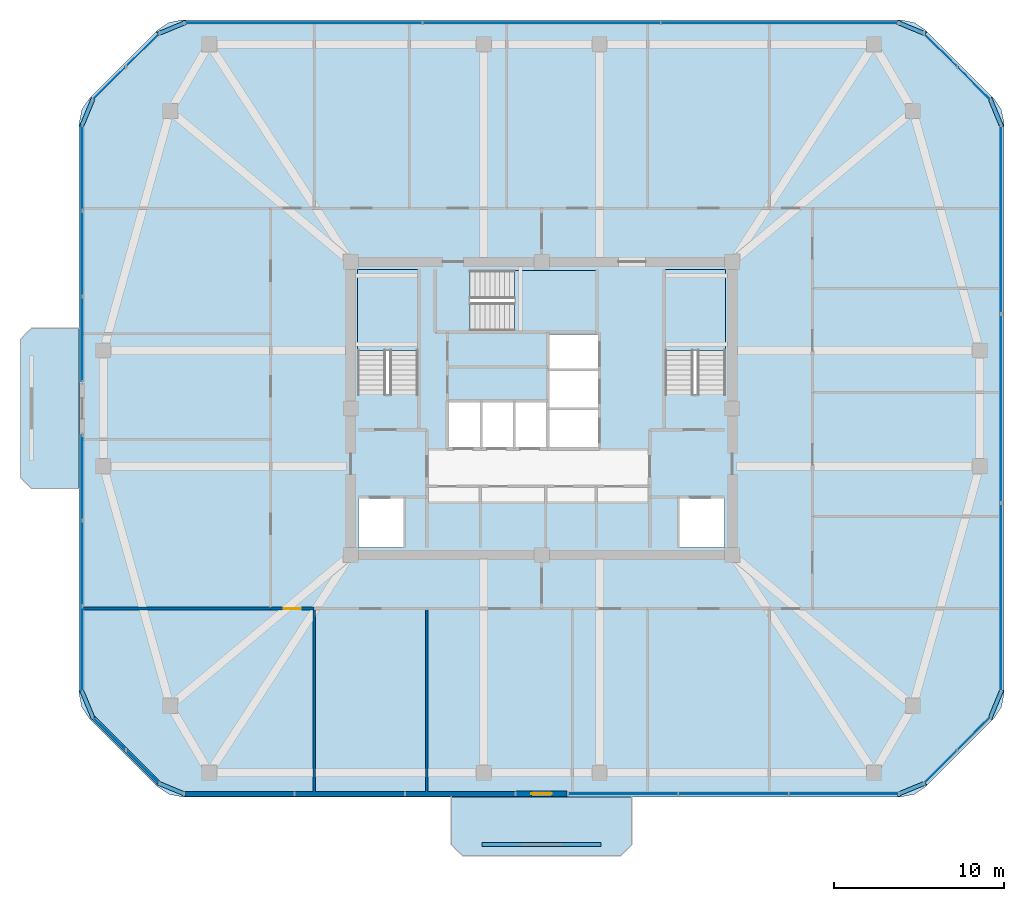
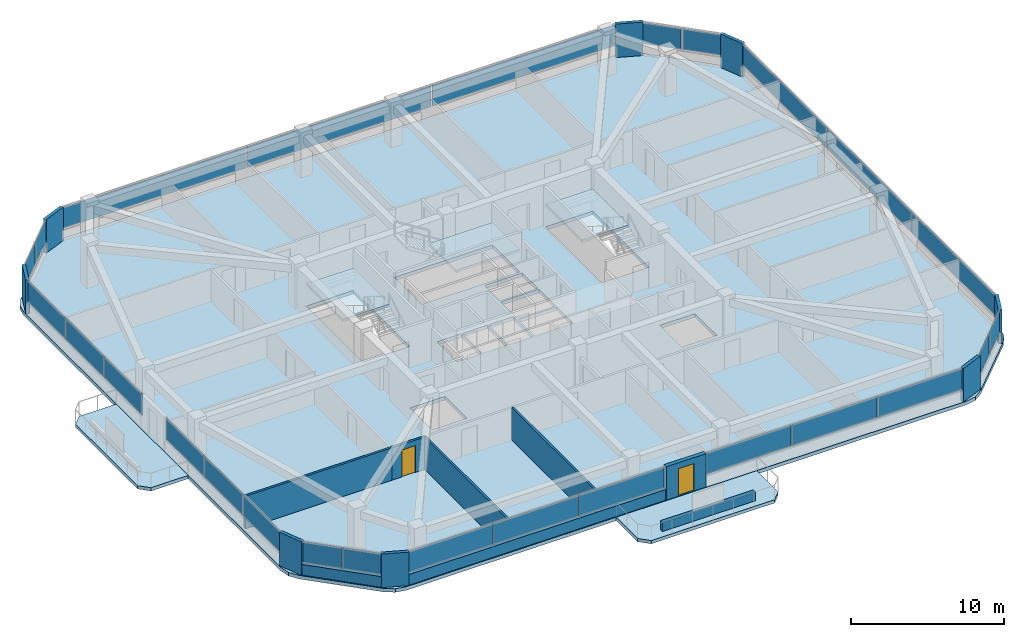
# One storey, part 7 of 13: 34 plates, 8 walls, 6 slabs, 2 doors, 2 openings, 13 elements without a shape of their own.
"""IFC4 building model written with IfcOpenShell, lengths in metres."""

from ifc_helpers import new_model, si_unit, derived_unit, direction, frame, frame_2d, origin, origin_2d, place, context, subcontext, project, spatial, polyline, rectangle, outline, extrude, material, layer, layer_set, type_object, element, fill, aggregate, save


model = new_model("IFC4")

# Units and contexts
model_context = context("Model", 3, precision=1e-05, world=origin(), true_north=direction((0.0, 1.0)))
body_context = subcontext(model_context, "Body", "Model", "MODEL_VIEW")
ifc_project = project(units=[si_unit("LENGTHUNIT", "METRE"), si_unit("AREAUNIT", "SQUARE_METRE"), si_unit("VOLUMEUNIT", "CUBIC_METRE"), si_unit("PLANEANGLEUNIT", "RADIAN"), si_unit("MASSUNIT", "GRAM", prefix="KILO"), derived_unit("THERMALTRANSMITTANCEUNIT", [(si_unit("POWERUNIT", "WATT"), 1), (si_unit("LENGTHUNIT", "METRE"), -2), (si_unit("THERMODYNAMICTEMPERATUREUNIT", "KELVIN"), -1)])], contexts=[model_context])

# Site, building, storey
site_placement = place(None, origin())
site = spatial("IfcSite", under=ifc_project, at=site_placement, CompositionType="ELEMENT")
building_placement = place(site_placement, origin())
building = spatial("IfcBuilding", under=site, at=building_placement, Name="Koralith Skygarden Medical Center", CompositionType="ELEMENT")
storey_placement = place(building_placement, frame((0.0, 0.0, 228.780029296875)))
storey = spatial("IfcBuildingStorey", under=building, at=storey_placement, Name="L59", CompositionType="ELEMENT", Elevation=228.780029296875)

# Curtain wall, plates
ifc_material_1 = material(Name="Clear Laminated Glass", Category="glass")
curtain_wall_type = type_object("IfcCurtainWallType", Name="CW-5 Zone 4 Flare Biophilic Curtain Wall", PredefinedType="NOTDEFINED", material=ifc_material_1)
curtain_wall_1_placement = place(storey_placement, origin())
curtain_wall_1 = element("IfcCurtainWall", 1, at=curtain_wall_1_placement, inside=storey, type_object=curtain_wall_type, Name="Curtain Wall CW-L59-S-L", PredefinedType="NOTDEFINED")
ifc_layer_1 = layer(ifc_material_1, 0.0380859375)
ifc_layer_set_1 = layer_set([ifc_layer_1], Name="Clear Laminated Glass")
plate_type_1 = type_object("IfcPlateType", Name="CW-5 Hurricane Laminated IGU Panel 38", PredefinedType="CURTAIN_PANEL", material=ifc_layer_set_1)
plate_1_placement = place(storey_placement, frame((19.25390625, 3.280029296875, 0.919921875), z_axis=(0.0, 0.0, 1.0), x_axis=(1.0, 0.0, 0.0)))
plate_1 = element("IfcPlate", 2, at=plate_1_placement, type_object=plate_type_1, Name="CW-L59-S-L Glazed Panel 1", PredefinedType="CURTAIN_PANEL", context=body_context, shape_type="SweptSolid", body=[
    extrude(rectangle(XDim=6.39208984375, YDim=0.0380859375, at=origin_2d()), origin(), (0.0, 0.0, 1.0), 1.679931640625),
])
plate_2_placement = place(storey_placement, frame((25.736083984375, 3.280029296875, 0.919921875), z_axis=(0.0, 0.0, 1.0), x_axis=(1.0, 0.0, 0.0)))
plate_2 = element("IfcPlate", 3, at=plate_2_placement, type_object=plate_type_1, Name="CW-L59-S-L Glazed Panel 2", PredefinedType="CURTAIN_PANEL", context=body_context, shape_type="SweptSolid", body=[
    extrude(rectangle(XDim=6.39208984375, YDim=0.0380859375, at=origin_2d()), origin(), (0.0, 0.0, 1.0), 1.679931640625),
])
plate_3_placement = place(storey_placement, frame((32.218017578125, 3.280029296875, 0.919921875), z_axis=(0.0, 0.0, 1.0), x_axis=(1.0, 0.0, 0.0)))
plate_3 = element("IfcPlate", 4, at=plate_3_placement, type_object=plate_type_1, Name="CW-L59-S-L Glazed Panel 3", PredefinedType="CURTAIN_PANEL", context=body_context, shape_type="SweptSolid", body=[
    extrude(rectangle(XDim=6.39208984375, YDim=0.0380859375, at=origin_2d()), origin(), (0.0, 0.0, 1.0), 1.679931640625),
])
aggregate(curtain_wall_1, [plate_1, plate_2, plate_3])

curtain_wall_2_placement = place(storey_placement, origin())
curtain_wall_2 = element("IfcCurtainWall", 5, at=curtain_wall_2_placement, inside=storey, type_object=curtain_wall_type, Name="Curtain Wall CW-L59-S-R", PredefinedType="NOTDEFINED")
plate_4_placement = place(storey_placement, frame((41.780029296875, 3.280029296875, 0.919921875), z_axis=(0.0, 0.0, 1.0), x_axis=(1.0, 0.0, 0.0)))
plate_4 = element("IfcPlate", 6, at=plate_4_placement, type_object=plate_type_1, Name="CW-L59-S-R Glazed Panel 1", PredefinedType="CURTAIN_PANEL", context=body_context, shape_type="SweptSolid", body=[
    extrude(rectangle(XDim=6.39306640625, YDim=0.0380859375, at=origin_2d()), origin(), (0.0, 0.0, 1.0), 1.679931640625),
])
plate_5_placement = place(storey_placement, frame((48.262939453125, 3.280029296875, 0.919921875), z_axis=(0.0, 0.0, 1.0), x_axis=(1.0, 0.0, 0.0)))
plate_5 = element("IfcPlate", 7, at=plate_5_placement, type_object=plate_type_1, Name="CW-L59-S-R Glazed Panel 2", PredefinedType="CURTAIN_PANEL", context=body_context, shape_type="SweptSolid", body=[
    extrude(rectangle(XDim=6.39306640625, YDim=0.0380859375, at=origin_2d()), origin(), (0.0, 0.0, 1.0), 1.679931640625),
])
plate_6_placement = place(storey_placement, frame((54.74609375, 3.280029296875, 0.919921875), z_axis=(0.0, 0.0, 1.0), x_axis=(1.0, 0.0, 0.0)))
plate_6 = element("IfcPlate", 8, at=plate_6_placement, type_object=plate_type_1, Name="CW-L59-S-R Glazed Panel 3", PredefinedType="CURTAIN_PANEL", context=body_context, shape_type="SweptSolid", body=[
    extrude(rectangle(XDim=6.39306640625, YDim=0.0380859375, at=origin_2d()), origin(), (0.0, 0.0, 1.0), 1.679931640625),
])
aggregate(curtain_wall_2, [plate_4, plate_5, plate_6])

curtain_wall_3_placement = place(storey_placement, origin())
curtain_wall_3 = element("IfcCurtainWall", 9, at=curtain_wall_3_placement, inside=storey, type_object=curtain_wall_type, Name="Curtain Wall CW-L59-SE", PredefinedType="NOTDEFINED")
plate_7_placement = place(storey_placement, frame((60.4189453125, 4.862060546875, 0.919921875), z_axis=(0.0, 0.0, 1.0), x_axis=(0.707106781187, 0.707106781187, 0.0)))
plate_7 = element("IfcPlate", 10, at=plate_7_placement, type_object=plate_type_1, Name="CW-L59-SE Glazed Panel 1", PredefinedType="CURTAIN_PANEL", context=body_context, shape_type="SweptSolid", body=[
    extrude(rectangle(XDim=2.68408203125, YDim=0.0380859375, at=origin_2d()), origin(), (0.0, 0.0, 1.0), 1.679931640625),
])
plate_8_placement = place(storey_placement, frame((62.3798828125, 6.822998046875, 0.919921875), z_axis=(0.0, 0.0, 1.0), x_axis=(0.707106781187, 0.707106781187, 0.0)))
plate_8 = element("IfcPlate", 11, at=plate_8_placement, type_object=plate_type_1, Name="CW-L59-SE Glazed Panel 2", PredefinedType="CURTAIN_PANEL", context=body_context, shape_type="SweptSolid", body=[
    extrude(rectangle(XDim=2.68408203125, YDim=0.0380859375, at=origin_2d()), origin(), (0.0, 0.0, 1.0), 1.679931640625),
])
aggregate(curtain_wall_3, [plate_7, plate_8])

curtain_wall_4_placement = place(storey_placement, origin())
curtain_wall_4 = element("IfcCurtainWall", 12, at=curtain_wall_4_placement, inside=storey, type_object=curtain_wall_type, Name="Curtain Wall CW-L59-E", PredefinedType="NOTDEFINED")
plate_9_placement = place(storey_placement, frame((63.9619140625, 14.802978515625, 0.919921875), z_axis=(0.0, 0.0, 1.0), x_axis=(0.0, 1.0, 0.0)))
plate_9 = element("IfcPlate", 13, at=plate_9_placement, type_object=plate_type_1, Name="CW-L59-E Glazed Panel 1", PredefinedType="CURTAIN_PANEL", context=body_context, shape_type="SweptSolid", body=[
    extrude(rectangle(XDim=11.007080078125, YDim=0.0380859375, at=origin_2d()), origin(), (0.0, 0.0, 1.0), 1.679931640625),
])
plate_10_placement = place(storey_placement, frame((63.9619140625, 25.89990234375, 0.919921875), z_axis=(0.0, 0.0, 1.0), x_axis=(0.0, 1.0, 0.0)))
plate_10 = element("IfcPlate", 14, at=plate_10_placement, type_object=plate_type_1, Name="CW-L59-E Glazed Panel 2", PredefinedType="CURTAIN_PANEL", context=body_context, shape_type="SweptSolid", body=[
    extrude(rectangle(XDim=11.007080078125, YDim=0.0380859375, at=origin_2d()), origin(), (0.0, 0.0, 1.0), 1.679931640625),
])
plate_11_placement = place(storey_placement, frame((63.9619140625, 36.9970703125, 0.919921875), z_axis=(0.0, 0.0, 1.0), x_axis=(0.0, 1.0, 0.0)))
plate_11 = element("IfcPlate", 15, at=plate_11_placement, type_object=plate_type_1, Name="CW-L59-E Glazed Panel 3", PredefinedType="CURTAIN_PANEL", context=body_context, shape_type="SweptSolid", body=[
    extrude(rectangle(XDim=11.007080078125, YDim=0.0380859375, at=origin_2d()), origin(), (0.0, 0.0, 1.0), 1.679931640625),
])
aggregate(curtain_wall_4, [plate_9, plate_10, plate_11])

curtain_wall_5_placement = place(storey_placement, origin())
curtain_wall_5 = element("IfcCurtainWall", 16, at=curtain_wall_5_placement, inside=storey, type_object=curtain_wall_type, Name="Curtain Wall CW-L59-NE", PredefinedType="NOTDEFINED")
plate_12_placement = place(storey_placement, frame((62.3798828125, 44.97705078125, 0.919921875), z_axis=(0.0, 0.0, 1.0), x_axis=(-0.707106781187, 0.707106781187, 0.0)))
plate_12 = element("IfcPlate", 17, at=plate_12_placement, type_object=plate_type_1, Name="CW-L59-NE Glazed Panel 1", PredefinedType="CURTAIN_PANEL", context=body_context, shape_type="SweptSolid", body=[
    extrude(rectangle(XDim=2.68408203125, YDim=0.0380859375, at=origin_2d()), origin(), (0.0, 0.0, 1.0), 1.679931640625),
])
plate_13_placement = place(storey_placement, frame((60.4189453125, 46.93798828125, 0.919921875), z_axis=(0.0, 0.0, 1.0), x_axis=(-0.707106781187, 0.707106781187, 0.0)))
plate_13 = element("IfcPlate", 18, at=plate_13_placement, type_object=plate_type_1, Name="CW-L59-NE Glazed Panel 2", PredefinedType="CURTAIN_PANEL", context=body_context, shape_type="SweptSolid", body=[
    extrude(rectangle(XDim=2.68408203125, YDim=0.0380859375, at=origin_2d()), origin(), (0.0, 0.0, 1.0), 1.679931640625),
])
aggregate(curtain_wall_5, [plate_12, plate_13])

curtain_wall_6_placement = place(storey_placement, origin())
curtain_wall_6 = element("IfcCurtainWall", 19, at=curtain_wall_6_placement, inside=storey, type_object=curtain_wall_type, Name="Curtain Wall CW-L59-N", PredefinedType="NOTDEFINED")
plate_14_placement = place(storey_placement, frame((50.990966796875, 48.52001953125, 0.919921875), z_axis=(0.0, 0.0, 1.0), x_axis=(-1.0, 0.0, 0.0)))
plate_14 = element("IfcPlate", 20, at=plate_14_placement, type_object=plate_type_1, Name="CW-L59-N Glazed Panel 1", PredefinedType="CURTAIN_PANEL", context=body_context, shape_type="SweptSolid", body=[
    extrude(rectangle(XDim=13.90087890625, YDim=0.0380859375, at=origin_2d()), origin(), (0.0, 0.0, 1.0), 1.679931640625),
])
plate_15_placement = place(storey_placement, frame((37.0, 48.52001953125, 0.919921875), z_axis=(0.0, 0.0, 1.0), x_axis=(-1.0, 0.0, 0.0)))
plate_15 = element("IfcPlate", 21, at=plate_15_placement, type_object=plate_type_1, Name="CW-L59-N Glazed Panel 2", PredefinedType="CURTAIN_PANEL", context=body_context, shape_type="SweptSolid", body=[
    extrude(rectangle(XDim=13.90087890625, YDim=0.0380859375, at=origin_2d()), origin(), (0.0, 0.0, 1.0), 1.679931640625),
])
plate_16_placement = place(storey_placement, frame((23.009033203125, 48.52001953125, 0.919921875), z_axis=(0.0, 0.0, 1.0), x_axis=(-1.0, 0.0, 0.0)))
plate_16 = element("IfcPlate", 22, at=plate_16_placement, type_object=plate_type_1, Name="CW-L59-N Glazed Panel 3", PredefinedType="CURTAIN_PANEL", context=body_context, shape_type="SweptSolid", body=[
    extrude(rectangle(XDim=13.90087890625, YDim=0.0380859375, at=origin_2d()), origin(), (0.0, 0.0, 1.0), 1.679931640625),
])
aggregate(curtain_wall_6, [plate_14, plate_15, plate_16])

curtain_wall_7_placement = place(storey_placement, origin())
curtain_wall_7 = element("IfcCurtainWall", 23, at=curtain_wall_7_placement, inside=storey, type_object=curtain_wall_type, Name="Curtain Wall CW-L59-NW", PredefinedType="NOTDEFINED")
plate_17_placement = place(storey_placement, frame((13.5810546875, 46.93798828125, 0.919921875), z_axis=(0.0, 0.0, 1.0), x_axis=(-0.707106781187, -0.707106781187, 0.0)))
plate_17 = element("IfcPlate", 24, at=plate_17_placement, type_object=plate_type_1, Name="CW-L59-NW Glazed Panel 1", PredefinedType="CURTAIN_PANEL", context=body_context, shape_type="SweptSolid", body=[
    extrude(rectangle(XDim=2.68408203125, YDim=0.0380859375, at=origin_2d()), origin(), (0.0, 0.0, 1.0), 1.679931640625),
])
plate_18_placement = place(storey_placement, frame((11.6201171875, 44.97705078125, 0.919921875), z_axis=(0.0, 0.0, 1.0), x_axis=(-0.707106781187, -0.707106781187, 0.0)))
plate_18 = element("IfcPlate", 25, at=plate_18_placement, type_object=plate_type_1, Name="CW-L59-NW Glazed Panel 2", PredefinedType="CURTAIN_PANEL", context=body_context, shape_type="SweptSolid", body=[
    extrude(rectangle(XDim=2.68408203125, YDim=0.0380859375, at=origin_2d()), origin(), (0.0, 0.0, 1.0), 1.679931640625),
])
aggregate(curtain_wall_7, [plate_17, plate_18])

curtain_wall_8_placement = place(storey_placement, origin())
curtain_wall_8 = element("IfcCurtainWall", 26, at=curtain_wall_8_placement, inside=storey, type_object=curtain_wall_type, Name="Curtain Wall CW-L59-W-L", PredefinedType="NOTDEFINED")
plate_19_placement = place(storey_placement, frame((10.0380859375, 40.028076171875, 0.919921875), z_axis=(0.0, 0.0, 1.0), x_axis=(0.0, -1.0, 0.0)))
plate_19 = element("IfcPlate", 27, at=plate_19_placement, type_object=plate_type_1, Name="CW-L59-W-L Glazed Panel 1", PredefinedType="CURTAIN_PANEL", context=body_context, shape_type="SweptSolid", body=[
    extrude(rectangle(XDim=4.945068359375, YDim=0.0380859375, at=origin_2d()), origin(), (0.0, 0.0, 1.0), 1.679931640625),
])
plate_20_placement = place(storey_placement, frame((10.0380859375, 34.991943359375, 0.919921875), z_axis=(0.0, 0.0, 1.0), x_axis=(0.0, -1.0, 0.0)))
plate_20 = element("IfcPlate", 28, at=plate_20_placement, type_object=plate_type_1, Name="CW-L59-W-L Glazed Panel 2", PredefinedType="CURTAIN_PANEL", context=body_context, shape_type="SweptSolid", body=[
    extrude(rectangle(XDim=4.945068359375, YDim=0.0380859375, at=origin_2d()), origin(), (0.0, 0.0, 1.0), 1.679931640625),
])
plate_21_placement = place(storey_placement, frame((10.0380859375, 29.9580078125, 0.919921875), z_axis=(0.0, 0.0, 1.0), x_axis=(0.0, -1.0, 0.0)))
plate_21 = element("IfcPlate", 29, at=plate_21_placement, type_object=plate_type_1, Name="CW-L59-W-L Glazed Panel 3", PredefinedType="CURTAIN_PANEL", context=body_context, shape_type="SweptSolid", body=[
    extrude(rectangle(XDim=4.945068359375, YDim=0.0380859375, at=origin_2d()), origin(), (0.0, 0.0, 1.0), 1.679931640625),
])
aggregate(curtain_wall_8, [plate_19, plate_20, plate_21])

curtain_wall_9_placement = place(storey_placement, origin())
curtain_wall_9 = element("IfcCurtainWall", 30, at=curtain_wall_9_placement, inside=storey, type_object=curtain_wall_type, Name="Curtain Wall CW-L59-W-R", PredefinedType="NOTDEFINED")
plate_22_placement = place(storey_placement, frame((10.0380859375, 21.843017578125, 0.919921875), z_axis=(0.0, 0.0, 1.0), x_axis=(0.0, -1.0, 0.0)))
plate_22 = element("IfcPlate", 31, at=plate_22_placement, type_object=plate_type_1, Name="CW-L59-W-R Glazed Panel 1", PredefinedType="CURTAIN_PANEL", context=body_context, shape_type="SweptSolid", body=[
    extrude(rectangle(XDim=4.945068359375, YDim=0.0380859375, at=origin_2d()), origin(), (0.0, 0.0, 1.0), 1.679931640625),
])
plate_23_placement = place(storey_placement, frame((10.0380859375, 16.80810546875, 0.919921875), z_axis=(0.0, 0.0, 1.0), x_axis=(0.0, -1.0, 0.0)))
plate_23 = element("IfcPlate", 32, at=plate_23_placement, type_object=plate_type_1, Name="CW-L59-W-R Glazed Panel 2", PredefinedType="CURTAIN_PANEL", context=body_context, shape_type="SweptSolid", body=[
    extrude(rectangle(XDim=4.945068359375, YDim=0.0380859375, at=origin_2d()), origin(), (0.0, 0.0, 1.0), 1.679931640625),
])
plate_24_placement = place(storey_placement, frame((10.0380859375, 11.77294921875, 0.919921875), z_axis=(0.0, 0.0, 1.0), x_axis=(0.0, -1.0, 0.0)))
plate_24 = element("IfcPlate", 33, at=plate_24_placement, type_object=plate_type_1, Name="CW-L59-W-R Glazed Panel 3", PredefinedType="CURTAIN_PANEL", context=body_context, shape_type="SweptSolid", body=[
    extrude(rectangle(XDim=4.945068359375, YDim=0.0380859375, at=origin_2d()), origin(), (0.0, 0.0, 1.0), 1.679931640625),
])
aggregate(curtain_wall_9, [plate_22, plate_23, plate_24])

curtain_wall_10_placement = place(storey_placement, origin())
curtain_wall_10 = element("IfcCurtainWall", 34, at=curtain_wall_10_placement, inside=storey, type_object=curtain_wall_type, Name="Curtain Wall CW-L59-SW", PredefinedType="NOTDEFINED")
plate_25_placement = place(storey_placement, frame((11.6201171875, 6.822998046875, 0.919921875), z_axis=(0.0, 0.0, 1.0), x_axis=(0.707106781187, -0.707106781187, 0.0)))
plate_25 = element("IfcPlate", 35, at=plate_25_placement, type_object=plate_type_1, Name="CW-L59-SW Glazed Panel 1", PredefinedType="CURTAIN_PANEL", context=body_context, shape_type="SweptSolid", body=[
    extrude(rectangle(XDim=2.68408203125, YDim=0.0380859375, at=origin_2d()), origin(), (0.0, 0.0, 1.0), 1.679931640625),
])
plate_26_placement = place(storey_placement, frame((13.5810546875, 4.862060546875, 0.919921875), z_axis=(0.0, 0.0, 1.0), x_axis=(0.707106781187, -0.707106781187, 0.0)))
plate_26 = element("IfcPlate", 36, at=plate_26_placement, type_object=plate_type_1, Name="CW-L59-SW Glazed Panel 2", PredefinedType="CURTAIN_PANEL", context=body_context, shape_type="SweptSolid", body=[
    extrude(rectangle(XDim=2.68408203125, YDim=0.0380859375, at=origin_2d()), origin(), (0.0, 0.0, 1.0), 1.679931640625),
])
aggregate(curtain_wall_10, [plate_25, plate_26])

# Slabs
ifc_material_2 = material(Name="Concrete C45/55", Category="concrete")
ifc_layer_2 = layer(ifc_material_2, 0.260009765625)
ifc_layer_set_2 = layer_set([ifc_layer_2], Name="Concrete C45/55")
slab_type_1 = type_object("IfcSlabType", Name="Cantilevered Planted Balcony Slab 260", PredefinedType="FLOOR", material=ifc_layer_set_2)
slab_1_placement = place(storey_placement, frame((0.0, 0.0, -0.260009765625)))
element("IfcSlab", 37, at=slab_1_placement, inside=storey, type_object=slab_type_1, Name="L59 S Planted Sky-Garden Balcony Slab", PredefinedType="FLOOR", context=body_context, shape_type="SweptSolid", body=[
    extrude(outline(polyline([(32.35009765625, -0.35009765625), (41.64990234375, -0.35009765625), (42.300048828125, 0.300048828125), (42.300048828125, 3.10009765625), (31.699951171875, 3.10009765625), (31.699951171875, 0.300048828125), (32.35009765625, -0.35009765625)])), origin(), (0.0, 0.0, 1.0), 0.260009765625),
])
slab_2_placement = place(storey_placement, frame((0.0, 0.0, -0.260009765625)))
element("IfcSlab", 38, at=slab_2_placement, inside=storey, type_object=slab_type_1, Name="L59 W Planted Sky-Garden Balcony Slab", PredefinedType="FLOOR", context=body_context, shape_type="SweptSolid", body=[
    extrude(outline(polyline([(7.05810546875, 21.199951171875), (9.85791015625, 21.199951171875), (9.85791015625, 30.60009765625), (7.05810546875, 30.60009765625), (6.407958984375, 29.949951171875), (6.407958984375, 21.85009765625), (7.05810546875, 21.199951171875)])), origin(), (0.0, 0.0, 1.0), 0.260009765625),
])

# Stair, slab
stair_type = type_object("IfcStairType", Name="Core Exit Dogleg Concrete Stair", PredefinedType="HALF_TURN_STAIR", material=ifc_material_2)
stair_1_placement = place(storey_placement, origin())
stair_1 = element("IfcStair", 39, at=stair_1_placement, inside=storey, type_object=stair_type, Name="L59 Smokeproof Exit Stair ST1", PredefinedType="HALF_TURN_STAIR")
ifc_layer_3 = layer(ifc_material_2, 0.199951171875)
ifc_layer_set_3 = layer_set([ifc_layer_3], Name="Concrete C45/55")
slab_type_2 = type_object("IfcSlabType", Name="Core Exit Concrete Stair Landing 200", PredefinedType="LANDING", material=ifc_layer_set_3)
slab_3_placement = place(storey_placement, frame((0.0, 0.0, 1.599853515625)))
slab_3 = element("IfcSlab", 40, at=slab_3_placement, type_object=slab_type_2, Name="ST1 landing 1", PredefinedType="LANDING", context=body_context, shape_type="SweptSolid", body=[
    extrude(outline(polyline([(29.75, 29.31005859375), (29.75, 34.050048828125), (26.199951171875, 34.050048828125), (26.199951171875, 29.31005859375), (29.75, 29.31005859375)])), origin(), (0.0, 0.0, 1.0), 0.2001953125),
])
aggregate(stair_1, [slab_3])

stair_2_placement = place(storey_placement, origin())
stair_2 = element("IfcStair", 41, at=stair_2_placement, inside=storey, type_object=stair_type, Name="L59 Smokeproof Exit Stair ST2", PredefinedType="HALF_TURN_STAIR")
slab_4_placement = place(storey_placement, frame((0.0, 0.0, 1.599853515625)))
slab_4 = element("IfcSlab", 42, at=slab_4_placement, type_object=slab_type_2, Name="ST2 landing 1", PredefinedType="LANDING", context=body_context, shape_type="SweptSolid", body=[
    extrude(outline(polyline([(47.800048828125, 29.31005859375), (47.800048828125, 34.050048828125), (44.25, 34.050048828125), (44.25, 29.31005859375), (47.800048828125, 29.31005859375)])), origin(), (0.0, 0.0, 1.0), 0.2001953125),
])
aggregate(stair_2, [slab_4])

stair_3_placement = place(storey_placement, origin())
stair_3 = element("IfcStair", 43, at=stair_3_placement, inside=storey, type_object=stair_type, Name="L59 Smokeproof Exit Stair ST3", PredefinedType="HALF_TURN_STAIR")
slab_5_placement = place(storey_placement, frame((0.0, 0.0, 1.599853515625)))
slab_5 = element("IfcSlab", 44, at=slab_5_placement, type_object=slab_type_2, Name="ST3 landing 1", PredefinedType="LANDING", context=body_context, shape_type="SweptSolid", body=[
    extrude(outline(polyline([(35.409912109375, 30.449951171875), (40.199951171875, 30.449951171875), (40.199951171875, 34.0), (35.409912109375, 34.0), (35.409912109375, 30.449951171875)])), origin(), (0.0, 0.0, 1.0), 0.2001953125),
])
aggregate(stair_3, [slab_5])

# Slab
ifc_layer_4 = layer(ifc_material_2, 0.280029296875)
ifc_layer_set_4 = layer_set([ifc_layer_4], Name="Concrete C45/55")
slab_type_3 = type_object("IfcSlabType", Name="Post-Tensioned Ward Floor Plate 280", PredefinedType="FLOOR", material=ifc_layer_set_4)
slab_6_placement = place(storey_placement, frame((0.0, 0.0, -0.280029296875)))
element("IfcSlab", 45, at=slab_6_placement, inside=storey, type_object=slab_type_3, Name="Level L59 Structural Floor Slab", PredefinedType="FLOOR", context=body_context, shape_type="SweptSolid", body=[
    extrude(outline(polyline([(14.471923828125, 3.68603515625), (15.12109375, 3.251953125), (15.885986328125, 3.10009765625), (58.114013671875, 3.10009765625), (58.87890625, 3.251953125), (59.528076171875, 3.68603515625), (63.555908203125, 7.714111328125), (63.989990234375, 8.363037109375), (64.14208984375, 9.1279296875), (64.14208984375, 42.672119140625), (63.989990234375, 43.43701171875), (63.555908203125, 44.0859375), (59.528076171875, 48.114013671875), (58.87890625, 48.548095703125), (58.114013671875, 48.699951171875), (15.885986328125, 48.699951171875), (15.12109375, 48.548095703125), (14.471923828125, 48.114013671875), (10.444091796875, 44.0859375), (10.010009765625, 43.43701171875), (9.85791015625, 42.672119140625), (9.85791015625, 9.1279296875), (10.010009765625, 8.363037109375), (10.444091796875, 7.714111328125), (14.471923828125, 3.68603515625)]), holes=[polyline([(26.199951171875, 26.705078125), (29.75, 26.705078125), (29.75, 34.050048828125), (26.199951171875, 34.050048828125), (26.199951171875, 26.705078125)]), polyline([(44.25, 26.705078125), (47.800048828125, 26.705078125), (47.800048828125, 34.050048828125), (44.25, 34.050048828125), (44.25, 26.705078125)]), polyline([(32.804931640625, 30.449951171875), (40.199951171875, 30.449951171875), (40.199951171875, 34.0), (32.804931640625, 34.0), (32.804931640625, 30.449951171875)]), polyline([(26.25, 17.75), (28.89990234375, 17.75), (28.89990234375, 20.60009765625), (26.25, 20.60009765625), (26.25, 17.75)]), polyline([(45.10009765625, 17.75), (47.75, 17.75), (47.75, 20.60009765625), (45.10009765625, 20.60009765625), (45.10009765625, 17.75)]), polyline([(31.550048828125, 23.64990234375), (33.39990234375, 23.64990234375), (33.39990234375, 26.25), (31.550048828125, 26.25), (31.550048828125, 23.64990234375)]), polyline([(33.5, 23.64990234375), (35.35009765625, 23.64990234375), (35.35009765625, 26.25), (33.5, 26.25), (33.5, 23.64990234375)]), polyline([(35.449951171875, 23.64990234375), (37.300048828125, 23.64990234375), (37.300048828125, 26.25), (35.449951171875, 26.25), (35.449951171875, 23.64990234375)]), polyline([(37.449951171875, 23.64990234375), (40.300048828125, 23.64990234375), (40.300048828125, 25.800048828125), (37.449951171875, 25.800048828125), (37.449951171875, 23.64990234375)]), polyline([(37.449951171875, 25.949951171875), (40.300048828125, 25.949951171875), (40.300048828125, 28.10009765625), (37.449951171875, 28.10009765625), (37.449951171875, 25.949951171875)]), polyline([(37.449951171875, 28.25), (40.300048828125, 28.25), (40.300048828125, 30.25), (37.449951171875, 30.25), (37.449951171875, 28.25)])]), origin(), (0.0, 0.0, 1.0), 0.280029296875),
])

# Plates
ifc_material_3 = material(Name="Warm Oolitic Limestone Cladding", Category="masonry")
ifc_layer_5 = layer(ifc_material_3, 0.239990234375)
ifc_layer_set_5 = layer_set([ifc_layer_5], Name="Warm Oolitic Limestone Cladding")
plate_type_2 = type_object("IfcPlateType", Name="Rounded-Corner Oolitic Limestone Cladding Panel 240", PredefinedType="USERDEFINED", material=ifc_layer_set_5)
for number, where, z_axis, x_axis, name in (
    (46, (58.712890625, 3.580078125, 0.0), (0.0, 0.0, 1.0), (0.92388487569, 0.382670532536, 0.0), "L59 Rounded-Corner Limestone Pier 1"),
    (47, (63.662109375, 8.530029296875, 0.0), (0.0, 0.0, 1.0), (0.382670532536, 0.92388487569, 0.0), "L59 Rounded-Corner Limestone Pier 2"),
    (48, (63.662109375, 43.27001953125, 0.0), (0.0, 0.0, 1.0), (-0.382670532536, 0.92388487569, 0.0), "L59 Rounded-Corner Limestone Pier 3"),
    (49, (58.712890625, 48.218994140625, 0.0), (0.0, 0.0, 1.0), (-0.92388487569, 0.382670532536, 0.0), "L59 Rounded-Corner Limestone Pier 4"),
    (50, (15.2880859375, 48.218994140625, 0.0), (0.0, 0.0, 1.0), (-0.92388487569, -0.382670532536, 0.0), "L59 Rounded-Corner Limestone Pier 5"),
    (51, (10.337890625, 43.27001953125, 0.0), (0.0, 0.0, 1.0), (-0.382670532536, -0.92388487569, 0.0), "L59 Rounded-Corner Limestone Pier 6"),
    (52, (10.337890625, 8.530029296875, 0.0), (0.0, 0.0, 1.0), (0.382670532536, -0.92388487569, 0.0), "L59 Rounded-Corner Limestone Pier 7"),
    (53, (15.2880859375, 3.580078125, 0.0), (0.0, 0.0, 1.0), (0.92388487569, -0.382670532536, 0.0), "L59 Rounded-Corner Limestone Pier 8"),
):
    element("IfcPlate", number, at=place(storey_placement, frame(where, z_axis=z_axis, x_axis=x_axis)), inside=storey, type_object=plate_type_2, Name=name, ObjectType="LIMESTONE CLADDING", PredefinedType="USERDEFINED", context=body_context, shape_type="SweptSolid", body=[
        extrude(rectangle(XDim=1.81103515625, YDim=0.239990234375, at=origin_2d()), origin(), (0.0, 0.0, 1.0), 2.669921875),
    ])

# Walls
ifc_material_4 = material(Name="Gypsum Board Partition")
ifc_layer_6 = layer(ifc_material_4, 0.14990234375)
ifc_layer_set_6 = layer_set([ifc_layer_6], Name="Gypsum Board Partition")
wall_type_1 = type_object("IfcWallType", Name="Clinical Acoustic Partition 150", PredefinedType="PARTITIONING", material=ifc_layer_set_6)
for number, where, z_axis, x_axis, name in (
    (54, (23.64990234375, 14.14990234375, 0.0), (0.0, 0.0, 1.0), (0.0, -1.0, 0.0), "L59 Clinical Acoustic Partition 150 W-PART-L59-S-01"),
    (55, (30.260009765625, 14.14990234375, 0.0), (0.0, 0.0, 1.0), (0.0, -1.0, 0.0), "L59 Clinical Acoustic Partition 150 W-PART-L59-S-02"),
):
    element("IfcWall", number, at=place(storey_placement, frame(where, z_axis=z_axis, x_axis=x_axis)), inside=storey, type_object=wall_type_1, Name=name, PredefinedType="PARTITIONING", context=body_context, shape_type="SweptSolid", body=[
        extrude(rectangle(XDim=10.849853515625, YDim=0.14990234375, at=frame_2d((5.4248046875, 0.0))), origin(), (0.0, 0.0, 1.0), 2.590087890625),
    ])
ifc_layer_7 = layer(ifc_material_4, 0.1650390625)
ifc_layer_set_7 = layer_set([ifc_layer_7], Name="Gypsum Board Partition")
wall_type_2 = type_object("IfcWallType", Name="Clinical Corridor Partition 165", PredefinedType="PARTITIONING", material=ifc_layer_set_7)
wall_1_placement = place(storey_placement, frame((10.05810546875, 14.14990234375, 0.0), z_axis=(0.0, 0.0, 1.0), x_axis=(1.0, 0.0, 0.0)))
element("IfcWall", 56, at=wall_1_placement, inside=storey, type_object=wall_type_2, Name="L59 Clinical Corridor Partition 165 W-WB-L59-SW", PredefinedType="PARTITIONING", context=body_context, shape_type="SweptSolid", body=[
    extrude(rectangle(XDim=11.0419921875, YDim=0.1650390625, at=frame_2d((5.52099609375, 0.0))), origin(), (0.0, 0.0, 1.0), 2.590087890625),
])

# Wall, opening, door
wall_2_placement = place(storey_placement, frame((21.10009765625, 14.14990234375, 0.0), z_axis=(0.0, 0.0, 1.0), x_axis=(1.0, 0.0, 0.0)))
wall_2 = element("IfcWall", 57, at=wall_2_placement, inside=storey, type_object=wall_type_2, Name="L59 Clinical Corridor Partition 165 W-CORR-L59-S-01", PredefinedType="PARTITIONING", context=body_context, shape_type="SweptSolid", body=[
    extrude(rectangle(XDim=2.5498046875, YDim=0.1650390625, at=frame_2d((1.27490234375, 0.0))), origin(), (0.0, 0.0, 1.0), 2.590087890625),
])
opening_1_placement = place(wall_2_placement, frame((0.77490234375, 0.0, 0.0)))
opening_1 = element("IfcOpeningElement", 58, at=opening_1_placement, cuts=wall_2, Name="Opening D-SUP", PredefinedType="OPENING", context=body_context, shape_type="SweptSolid", body=[
    extrude(rectangle(XDim=1.0, YDim=2.14990234375, at=frame_2d((0.5, 1.074951171875))), frame((0.0, 0.092529296875, 0.0), z_axis=(0.0, -1.0, 0.0), x_axis=(1.0, 0.0, 0.0)), (0.0, 0.0, 1.0), 0.18505859375),
])
ifc_material_5 = material(Name="Aluminium 6063-T6", Category="aluminium")
door_type_1 = type_object("IfcDoorType", Name="Clinical Support Door D-SUP 1000", OperationType="NOTDEFINED", PredefinedType="DOOR", material=ifc_material_5)
door_1_placement = place(opening_1_placement, frame((1.0, 0.0, 0.0), z_axis=(0.0, 0.0, 1.0), x_axis=(-1.0, 0.0, 0.0)))
door_1 = element("IfcDoor", 59, at=door_1_placement, inside=storey, type_object=door_type_1, Name="L59 Sterile Supply Equipment Store 07 Door", OperationType="SINGLE_SWING_RIGHT", OverallHeight=2.14990234375, OverallWidth=1.0, PredefinedType="DOOR", context=body_context, shape_type="SweptSolid", body=[
    extrude(rectangle(XDim=1.0, YDim=2.14990234375, at=frame_2d((0.5, 1.074951171875))), frame((0.0, 0.02490234375, 0.0), z_axis=(0.0, -1.0, 0.0), x_axis=(1.0, 0.0, 0.0)), (0.0, 0.0, 1.0), 0.050048828125),
])
fill(opening_1, door_1)

# Walls
ifc_layer_8 = layer(ifc_material_3, 0.239990234375)
ifc_layer_set_8 = layer_set([ifc_layer_8], Name="Warm Oolitic Limestone Cladding")
wall_type_3 = type_object("IfcWallType", Name="Limestone Spandrel Sill Backup Wall 240", PredefinedType="SOLIDWALL", material=ifc_layer_set_8)
wall_3_placement = place(storey_placement, frame((16.012939453125, 3.280029296875, 0.0), z_axis=(0.0, 0.0, 1.0), x_axis=(1.0, 0.0, 0.0)))
element("IfcWall", 60, at=wall_3_placement, inside=storey, type_object=wall_type_3, Name="L59 Sill Spandrel S-L", PredefinedType="SOLIDWALL", context=body_context, shape_type="SweptSolid", body=[
    extrude(rectangle(XDim=19.446044921875, YDim=0.239990234375, at=frame_2d((9.72314453125, 0.0))), origin(), (0.0, 0.0, 1.0), 0.849853515625),
])
wall_4_placement = place(storey_placement, frame((10.638916015625, 7.803955078125, 0.0), z_axis=(0.0, 0.0, 1.0), x_axis=(0.707128783731, -0.707084777957, 0.0)))
element("IfcWall", 61, at=wall_4_placement, inside=storey, type_object=wall_type_3, Name="L59 Sill Spandrel SW", PredefinedType="SOLIDWALL", context=body_context, shape_type="SweptSolid", body=[
    extrude(rectangle(XDim=5.5478515625, YDim=0.239990234375, at=frame_2d((2.77392578125, 0.0))), origin(), (0.0, 0.0, 1.0), 0.849853515625),
])

# Wall, opening, door
ifc_layer_9 = layer(ifc_material_3, 0.300048828125)
ifc_layer_set_9 = layer_set([ifc_layer_9], Name="Warm Oolitic Limestone Cladding")
wall_type_4 = type_object("IfcWallType", Name="Oolitic Limestone Insulated Facade Wall 300", PredefinedType="SOLIDWALL", material=ifc_layer_set_9)
wall_5_placement = place(storey_placement, frame((35.4990234375, 3.280029296875, 0.0), z_axis=(0.0, 0.0, 1.0), x_axis=(1.0, 0.0, 0.0)))
wall_5 = element("IfcWall", 62, at=wall_5_placement, inside=storey, type_object=wall_type_4, Name="L59 Terrace Portal Wall S", PredefinedType="SOLIDWALL", context=body_context, shape_type="SweptSolid", body=[
    extrude(rectangle(XDim=3.0, YDim=0.300048828125, at=frame_2d((1.5, 0.0))), origin(), (0.0, 0.0, 1.0), 2.669921875),
])
opening_2_placement = place(wall_5_placement, frame((0.89990234375, 0.0, 0.0)))
opening_2 = element("IfcOpeningElement", 63, at=opening_2_placement, cuts=wall_5, Name="Opening D-BAL", PredefinedType="OPENING", context=body_context, shape_type="SweptSolid", body=[
    extrude(rectangle(XDim=1.199951171875, YDim=2.199951171875, at=frame_2d((0.60009765625, 1.10009765625))), frame((0.0, 0.159912109375, 0.0), z_axis=(0.0, -1.0, 0.0), x_axis=(1.0, 0.0, 0.0)), (0.0, 0.0, 1.0), 0.320068359375),
])
door_type_2 = type_object("IfcDoorType", Name="Planted Balcony Glazed Terrace Door D-BAL 1200", OperationType="NOTDEFINED", PredefinedType="DOOR", material=ifc_material_5)
door_2_placement = place(opening_2_placement, origin())
door_2 = element("IfcDoor", 64, at=door_2_placement, inside=storey, type_object=door_type_2, Name="L59 S Outdoor Terrace Access Door", OperationType="SINGLE_SWING_RIGHT", OverallHeight=2.199951171875, OverallWidth=1.199951171875, PredefinedType="DOOR", context=body_context, shape_type="SweptSolid", body=[
    extrude(rectangle(XDim=1.199951171875, YDim=2.199951171875, at=frame_2d((0.60009765625, 1.10009765625))), frame((0.0, 0.02490234375, 0.0), z_axis=(0.0, -1.0, 0.0), x_axis=(1.0, 0.0, 0.0)), (0.0, 0.0, 1.0), 0.050048828125),
])
fill(opening_2, door_2)

# Wall
ifc_material_6 = material(Name="Precast concrete C40/50", Category="concrete")
ifc_layer_10 = layer(ifc_material_6, 0.25)
ifc_layer_set_10 = layer_set([ifc_layer_10], Name="Precast concrete C40/50")
wall_type_5 = type_object("IfcWallType", Name="Structural Concrete Balcony Planter Kerb 250", PredefinedType="PARAPET", material=ifc_layer_set_10)
wall_6_placement = place(storey_placement, frame((33.5, 0.300048828125, 0.0), z_axis=(0.0, 0.0, 1.0), x_axis=(1.0, 0.0, 0.0)))
element("IfcWall", 65, at=wall_6_placement, inside=storey, type_object=wall_type_5, Name="L59 S Structural Tree PLANTER Box", PredefinedType="PARAPET", context=body_context, shape_type="SweptSolid", body=[
    extrude(rectangle(XDim=7.0, YDim=0.25, at=frame_2d((3.5, 0.0))), origin(), (0.0, 0.0, 1.0), 0.719970703125),
])

save(model, "model.ifc")
